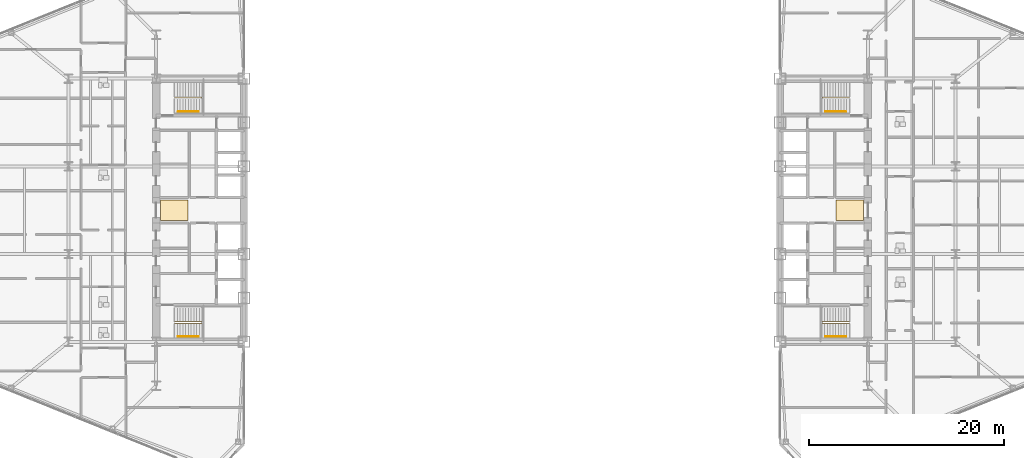
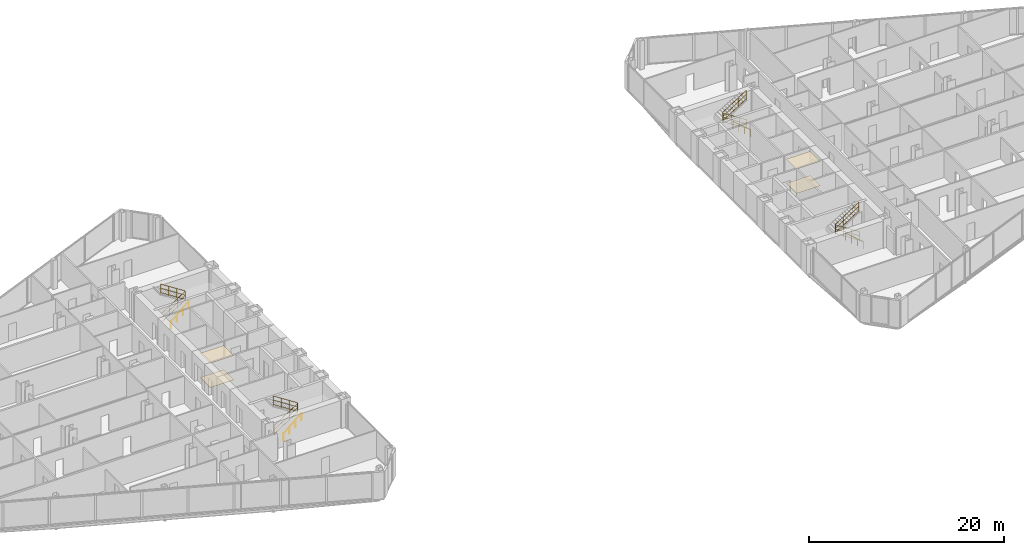
# One storey, part 24 of 25: 8 railings, 4 coverings.
"""IFC4 building model written with IfcOpenShell, lengths in metres."""

from ifc_helpers import new_model, si_unit, direction, frame, origin, origin_2d, place, context, subcontext, project, spatial, polyline, circle, outline, extrude, material, layer, layer_set, type_object, element, save


model = new_model("IFC4")

# Units and contexts
model_context = context("Model", 3, precision=1e-05, world=origin(), true_north=direction((0.0, 1.0)))
body_context = subcontext(model_context, "Body", "Model", "MODEL_VIEW")
ifc_project = project(units=[si_unit("LENGTHUNIT", "METRE"), si_unit("AREAUNIT", "SQUARE_METRE"), si_unit("VOLUMEUNIT", "CUBIC_METRE"), si_unit("PLANEANGLEUNIT", "RADIAN"), si_unit("MASSUNIT", "GRAM", prefix="KILO")], contexts=[model_context])

# Site, building, storey
site_placement = place(None, origin())
site = spatial("IfcSite", under=ifc_project, at=site_placement, CompositionType="ELEMENT")
building_placement = place(site_placement, origin())
building = spatial("IfcBuilding", under=site, at=building_placement, Name="Seokmaru Belvedere", CompositionType="ELEMENT")
storey_placement = place(building_placement, frame((0.0, 0.0, 26.10009765625)))
storey = spatial("IfcBuildingStorey", under=building, at=storey_placement, Name="L06", CompositionType="ELEMENT", Elevation=26.10009765625)

# Coverings
ifc_material_1 = material(Name="Engineered White Oak Timber", Category="wood")
ifc_layer_1 = layer(ifc_material_1, 0.02197265625)
ifc_layer_set_1 = layer_set([ifc_layer_1], Name="Engineered White Oak Timber")
covering_type_1 = type_object("IfcCoveringType", Name="Engineered Oak Residence Floor Finish 22", PredefinedType="FLOORING", material=ifc_layer_set_1)
covering_1_placement = place(storey_placement, origin())
element("IfcCovering", 1, at=covering_1_placement, inside=storey, type_object=covering_type_1, Name="L06 W Foyer Floor Finish", PredefinedType="FLOORING", context=body_context, shape_type="SweptSolid", body=[
    extrude(outline(polyline([(-36.050048828125, -1.050048828125), (-33.25, -1.050048828125), (-33.25, 1.050048828125), (-36.050048828125, 1.050048828125), (-36.050048828125, -1.050048828125)])), origin(), (0.0, 0.0, 1.0), 0.02197265625),
])
covering_2_placement = place(storey_placement, origin())
element("IfcCovering", 2, at=covering_2_placement, inside=storey, type_object=covering_type_1, Name="L06 E Foyer Floor Finish", PredefinedType="FLOORING", context=body_context, shape_type="SweptSolid", body=[
    extrude(outline(polyline([(33.25, -1.050048828125), (36.050048828125, -1.050048828125), (36.050048828125, 1.050048828125), (33.25, 1.050048828125), (33.25, -1.050048828125)])), origin(), (0.0, 0.0, 1.0), 0.02197265625),
])
ifc_material_2 = material(Name="Fire-Rated Gypsum Shaftwall")
ifc_layer_2 = layer(ifc_material_2, 0.02490234375)
ifc_layer_set_2 = layer_set([ifc_layer_2], Name="Fire-Rated Gypsum Shaftwall")
covering_type_2 = type_object("IfcCoveringType", Name="Perforated Acoustic Gypsum Suspended Ceiling 25", PredefinedType="CEILING", material=ifc_layer_set_2)
covering_3_placement = place(storey_placement, frame((0.0, 0.0, 3.02978515625)))
element("IfcCovering", 3, at=covering_3_placement, inside=storey, type_object=covering_type_2, Name="L06 W Lift Foyer Acoustic Ceiling", PredefinedType="CEILING", context=body_context, shape_type="SweptSolid", body=[
    extrude(outline(polyline([(-36.050048828125, -1.050048828125), (-33.25, -1.050048828125), (-33.25, 1.050048828125), (-36.050048828125, 1.050048828125), (-36.050048828125, -1.050048828125)])), origin(), (0.0, 0.0, 1.0), 0.025146484375),
])
covering_4_placement = place(storey_placement, frame((0.0, 0.0, 3.02978515625)))
element("IfcCovering", 4, at=covering_4_placement, inside=storey, type_object=covering_type_2, Name="L06 E Lift Foyer Acoustic Ceiling", PredefinedType="CEILING", context=body_context, shape_type="SweptSolid", body=[
    extrude(outline(polyline([(33.25, -1.050048828125), (36.050048828125, -1.050048828125), (36.050048828125, 1.050048828125), (33.25, 1.050048828125), (33.25, -1.050048828125)])), origin(), (0.0, 0.0, 1.0), 0.025146484375),
])

# Railings
ifc_material_3 = material(Name="Stainless Steel 316", Category="steel")
railing_type_1 = type_object("IfcRailingType", Name="Stainless Steel Wall and Flight Handrail 900", PredefinedType="HANDRAIL", material=ifc_material_3)
for number, where, name in (
    (5, (-34.25, -12.949951171875, 0.0), "L06 Stair ST-W1 Wall Handrail"),
    (6, (-34.25, 10.110107421875, 0.0), "L06 Stair ST-W2 Wall Handrail"),
):
    element("IfcRailing", number, at=place(storey_placement, frame(where)), inside=storey, type_object=railing_type_1, Name=name, PredefinedType="HANDRAIL", context=body_context, shape_type="SweptSolid", body=[
        extrude(circle(Radius=0.02392578125, at=origin_2d()), frame((0.0, 0.0, 0.8759765625), z_axis=(0.759306447245, 0.0, 0.650733216588), x_axis=(0.0, 1.0, 0.0)), (0.0, 0.0, 1.0), 2.765869140625),
        extrude(circle(Radius=0.02099609375, at=origin_2d()), origin(), (0.0, 0.0, 1.0), 0.851806640625),
        extrude(circle(Radius=0.02099609375, at=origin_2d()), frame((0.699951171875, 0.0, 0.599853515625)), (0.0, 0.0, 1.0), 0.851806640625),
        extrude(circle(Radius=0.02099609375, at=origin_2d()), frame((1.400146484375, 0.0, 1.199951171875)), (0.0, 0.0, 1.0), 0.851806640625),
        extrude(circle(Radius=0.02099609375, at=origin_2d()), frame((2.10009765625, 0.0, 1.7998046875)), (0.0, 0.0, 1.0), 0.851806640625),
    ])
for number, where, name in (
    (7, (34.25, -12.949951171875, 0.0), "L06 Stair ST-E1 Wall Handrail"),
    (8, (34.25, 10.110107421875, 0.0), "L06 Stair ST-E2 Wall Handrail"),
):
    element("IfcRailing", number, at=place(storey_placement, frame(where)), inside=storey, type_object=railing_type_1, Name=name, PredefinedType="HANDRAIL", context=body_context, shape_type="SweptSolid", body=[
        extrude(circle(Radius=0.02392578125, at=origin_2d()), frame((0.0, 0.0, 0.8759765625), z_axis=(-0.759306447245, 0.0, 0.650733216588), x_axis=(0.0, -1.0, 0.0)), (0.0, 0.0, 1.0), 2.765869140625),
        extrude(circle(Radius=0.02099609375, at=origin_2d()), origin(), (0.0, 0.0, 1.0), 0.851806640625),
        extrude(circle(Radius=0.02099609375, at=origin_2d()), frame((-0.699951171875, 0.0, 0.599853515625)), (0.0, 0.0, 1.0), 0.851806640625),
        extrude(circle(Radius=0.02099609375, at=origin_2d()), frame((-1.400146484375, 0.0, 1.199951171875)), (0.0, 0.0, 1.0), 0.851806640625),
        extrude(circle(Radius=0.02099609375, at=origin_2d()), frame((-2.10009765625, 0.0, 1.7998046875)), (0.0, 0.0, 1.0), 0.851806640625),
    ])
railing_type_2 = type_object("IfcRailingType", Name="Stair Well and Atrium Steel Guardrail 1200", PredefinedType="GUARDRAIL", material=ifc_material_3)
railing_1_placement = place(storey_placement, frame((-34.60009765625, -11.60009765625, 0.0)))
element("IfcRailing", 9, at=railing_1_placement, inside=storey, type_object=railing_type_2, Name="L06 Stair ST-W1 Inner Well Guardrail", PredefinedType="GUARDRAIL", context=body_context, shape_type="SweptSolid", body=[
    extrude(circle(Radius=0.02392578125, at=origin_2d()), frame((0.0, 0.0, 1.17578125), z_axis=(0.841209454229, 0.0, 0.540709398952), x_axis=(0.0, 1.0, 0.0)), (0.0, 0.0, 1.0), 3.32861328125),
    extrude(circle(Radius=0.02392578125, at=origin_2d()), frame((0.0, 0.0, 0.1201171875), z_axis=(0.841209454229, 0.0, 0.540709398952), x_axis=(0.0, 1.0, 0.0)), (0.0, 0.0, 1.0), 3.32861328125),
    extrude(circle(Radius=0.02392578125, at=origin_2d()), frame((0.0, 0.0, 0.659912109375), z_axis=(0.841209454229, 0.0, 0.540709398952), x_axis=(0.0, 1.0, 0.0)), (0.0, 0.0, 1.0), 3.32861328125),
    extrude(circle(Radius=0.02392578125, at=origin_2d()), frame((2.800048828125, 0.0, 2.9755859375), z_axis=(0.0, 1.0, 0.0), x_axis=(-1.0, 0.0, 0.0)), (0.0, 0.0, 1.0), 0.14013671875),
    extrude(circle(Radius=0.02392578125, at=origin_2d()), frame((2.800048828125, 0.0, 1.919921875), z_axis=(0.0, 1.0, 0.0), x_axis=(-1.0, 0.0, 0.0)), (0.0, 0.0, 1.0), 0.14013671875),
    extrude(circle(Radius=0.02392578125, at=origin_2d()), frame((2.800048828125, 0.0, 2.459716796875), z_axis=(0.0, 1.0, 0.0), x_axis=(-1.0, 0.0, 0.0)), (0.0, 0.0, 1.0), 0.14013671875),
    extrude(circle(Radius=0.02392578125, at=origin_2d()), frame((2.800048828125, 0.14013671875, 2.9755859375), z_axis=(-0.841176092368, 0.0, 0.540761298198), x_axis=(0.0, -1.0, 0.0)), (0.0, 0.0, 1.0), 3.32861328125),
    extrude(circle(Radius=0.02392578125, at=origin_2d()), frame((2.800048828125, 0.14013671875, 1.919921875), z_axis=(-0.841176092368, 0.0, 0.540761298198), x_axis=(0.0, -1.0, 0.0)), (0.0, 0.0, 1.0), 3.32861328125),
    extrude(circle(Radius=0.02392578125, at=origin_2d()), frame((2.800048828125, 0.14013671875, 2.459716796875), z_axis=(-0.841176092368, 0.0, 0.540761298198), x_axis=(0.0, -1.0, 0.0)), (0.0, 0.0, 1.0), 3.32861328125),
    extrude(circle(Radius=0.02099609375, at=origin_2d()), origin(), (0.0, 0.0, 1.0), 1.15185546875),
    extrude(circle(Radius=0.02099609375, at=origin_2d()), frame((0.933349609375, 0.0, 0.599853515625)), (0.0, 0.0, 1.0), 1.15185546875),
    extrude(circle(Radius=0.02099609375, at=origin_2d()), frame((1.86669921875, 0.0, 1.199951171875)), (0.0, 0.0, 1.0), 1.15185546875),
    extrude(circle(Radius=0.02099609375, at=origin_2d()), frame((2.800048828125, 0.0, 1.7998046875)), (0.0, 0.0, 1.0), 1.15185546875),
    extrude(circle(Radius=0.02099609375, at=origin_2d()), frame((2.800048828125, 0.14013671875, 1.7998046875)), (0.0, 0.0, 1.0), 1.15185546875),
    extrude(circle(Radius=0.02099609375, at=origin_2d()), frame((1.86669921875, 0.14013671875, 2.39990234375)), (0.0, 0.0, 1.0), 1.15185546875),
    extrude(circle(Radius=0.02099609375, at=origin_2d()), frame((0.933349609375, 0.14013671875, 2.999755859375)), (0.0, 0.0, 1.0), 1.15185546875),
    extrude(circle(Radius=0.02099609375, at=origin_2d()), frame((0.0, 0.14013671875, 3.599853515625)), (0.0, 0.0, 1.0), 1.15185546875),
])
railing_2_placement = place(storey_placement, frame((-34.60009765625, 11.4599609375, 0.0)))
element("IfcRailing", 10, at=railing_2_placement, inside=storey, type_object=railing_type_2, Name="L06 Stair ST-W2 Inner Well Guardrail", PredefinedType="GUARDRAIL", context=body_context, shape_type="SweptSolid", body=[
    extrude(circle(Radius=0.02392578125, at=origin_2d()), frame((0.0, 0.0, 1.17578125), z_axis=(0.841209454229, 0.0, 0.540709398952), x_axis=(0.0, 1.0, 0.0)), (0.0, 0.0, 1.0), 3.32861328125),
    extrude(circle(Radius=0.02392578125, at=origin_2d()), frame((0.0, 0.0, 0.1201171875), z_axis=(0.841209454229, 0.0, 0.540709398952), x_axis=(0.0, 1.0, 0.0)), (0.0, 0.0, 1.0), 3.32861328125),
    extrude(circle(Radius=0.02392578125, at=origin_2d()), frame((0.0, 0.0, 0.659912109375), z_axis=(0.841209454229, 0.0, 0.540709398952), x_axis=(0.0, 1.0, 0.0)), (0.0, 0.0, 1.0), 3.32861328125),
    extrude(circle(Radius=0.02392578125, at=origin_2d()), frame((2.800048828125, 0.0, 2.9755859375), z_axis=(0.0, 1.0, 0.0), x_axis=(-1.0, 0.0, 0.0)), (0.0, 0.0, 1.0), 0.14013671875),
    extrude(circle(Radius=0.02392578125, at=origin_2d()), frame((2.800048828125, 0.0, 1.919921875), z_axis=(0.0, 1.0, 0.0), x_axis=(-1.0, 0.0, 0.0)), (0.0, 0.0, 1.0), 0.14013671875),
    extrude(circle(Radius=0.02392578125, at=origin_2d()), frame((2.800048828125, 0.0, 2.459716796875), z_axis=(0.0, 1.0, 0.0), x_axis=(-1.0, 0.0, 0.0)), (0.0, 0.0, 1.0), 0.14013671875),
    extrude(circle(Radius=0.02392578125, at=origin_2d()), frame((2.800048828125, 0.14013671875, 2.9755859375), z_axis=(-0.841176092368, 0.0, 0.540761298198), x_axis=(0.0, -1.0, 0.0)), (0.0, 0.0, 1.0), 3.32861328125),
    extrude(circle(Radius=0.02392578125, at=origin_2d()), frame((2.800048828125, 0.14013671875, 1.919921875), z_axis=(-0.841176092368, 0.0, 0.540761298198), x_axis=(0.0, -1.0, 0.0)), (0.0, 0.0, 1.0), 3.32861328125),
    extrude(circle(Radius=0.02392578125, at=origin_2d()), frame((2.800048828125, 0.14013671875, 2.459716796875), z_axis=(-0.841176092368, 0.0, 0.540761298198), x_axis=(0.0, -1.0, 0.0)), (0.0, 0.0, 1.0), 3.32861328125),
    extrude(circle(Radius=0.02099609375, at=origin_2d()), origin(), (0.0, 0.0, 1.0), 1.15185546875),
    extrude(circle(Radius=0.02099609375, at=origin_2d()), frame((0.933349609375, 0.0, 0.599853515625)), (0.0, 0.0, 1.0), 1.15185546875),
    extrude(circle(Radius=0.02099609375, at=origin_2d()), frame((1.86669921875, 0.0, 1.199951171875)), (0.0, 0.0, 1.0), 1.15185546875),
    extrude(circle(Radius=0.02099609375, at=origin_2d()), frame((2.800048828125, 0.0, 1.7998046875)), (0.0, 0.0, 1.0), 1.15185546875),
    extrude(circle(Radius=0.02099609375, at=origin_2d()), frame((2.800048828125, 0.14013671875, 1.7998046875)), (0.0, 0.0, 1.0), 1.15185546875),
    extrude(circle(Radius=0.02099609375, at=origin_2d()), frame((1.86669921875, 0.14013671875, 2.39990234375)), (0.0, 0.0, 1.0), 1.15185546875),
    extrude(circle(Radius=0.02099609375, at=origin_2d()), frame((0.933349609375, 0.14013671875, 2.999755859375)), (0.0, 0.0, 1.0), 1.15185546875),
    extrude(circle(Radius=0.02099609375, at=origin_2d()), frame((0.0, 0.14013671875, 3.599853515625)), (0.0, 0.0, 1.0), 1.15185546875),
])
railing_3_placement = place(storey_placement, frame((34.60009765625, -11.60009765625, 0.0)))
element("IfcRailing", 11, at=railing_3_placement, inside=storey, type_object=railing_type_2, Name="L06 Stair ST-E1 Inner Well Guardrail", PredefinedType="GUARDRAIL", context=body_context, shape_type="SweptSolid", body=[
    extrude(circle(Radius=0.02392578125, at=origin_2d()), frame((0.0, 0.0, 1.17578125), z_axis=(-0.841209454229, 0.0, 0.540709398952), x_axis=(0.0, -1.0, 0.0)), (0.0, 0.0, 1.0), 3.32861328125),
    extrude(circle(Radius=0.02392578125, at=origin_2d()), frame((0.0, 0.0, 0.1201171875), z_axis=(-0.841209454229, 0.0, 0.540709398952), x_axis=(0.0, -1.0, 0.0)), (0.0, 0.0, 1.0), 3.32861328125),
    extrude(circle(Radius=0.02392578125, at=origin_2d()), frame((0.0, 0.0, 0.659912109375), z_axis=(-0.841209454229, 0.0, 0.540709398952), x_axis=(0.0, -1.0, 0.0)), (0.0, 0.0, 1.0), 3.32861328125),
    extrude(circle(Radius=0.02392578125, at=origin_2d()), frame((-2.800048828125, 0.0, 2.9755859375), z_axis=(0.0, 1.0, 0.0), x_axis=(-1.0, 0.0, 0.0)), (0.0, 0.0, 1.0), 0.14013671875),
    extrude(circle(Radius=0.02392578125, at=origin_2d()), frame((-2.800048828125, 0.0, 1.919921875), z_axis=(0.0, 1.0, 0.0), x_axis=(-1.0, 0.0, 0.0)), (0.0, 0.0, 1.0), 0.14013671875),
    extrude(circle(Radius=0.02392578125, at=origin_2d()), frame((-2.800048828125, 0.0, 2.459716796875), z_axis=(0.0, 1.0, 0.0), x_axis=(-1.0, 0.0, 0.0)), (0.0, 0.0, 1.0), 0.14013671875),
    extrude(circle(Radius=0.02392578125, at=origin_2d()), frame((-2.800048828125, 0.14013671875, 2.9755859375), z_axis=(0.841176092368, 0.0, 0.540761298198), x_axis=(0.0, 1.0, 0.0)), (0.0, 0.0, 1.0), 3.32861328125),
    extrude(circle(Radius=0.02392578125, at=origin_2d()), frame((-2.800048828125, 0.14013671875, 1.919921875), z_axis=(0.841176092368, 0.0, 0.540761298198), x_axis=(0.0, 1.0, 0.0)), (0.0, 0.0, 1.0), 3.32861328125),
    extrude(circle(Radius=0.02392578125, at=origin_2d()), frame((-2.800048828125, 0.14013671875, 2.459716796875), z_axis=(0.841176092368, 0.0, 0.540761298198), x_axis=(0.0, 1.0, 0.0)), (0.0, 0.0, 1.0), 3.32861328125),
    extrude(circle(Radius=0.02099609375, at=origin_2d()), origin(), (0.0, 0.0, 1.0), 1.15185546875),
    extrude(circle(Radius=0.02099609375, at=origin_2d()), frame((-0.933349609375, 0.0, 0.599853515625)), (0.0, 0.0, 1.0), 1.15185546875),
    extrude(circle(Radius=0.02099609375, at=origin_2d()), frame((-1.86669921875, 0.0, 1.199951171875)), (0.0, 0.0, 1.0), 1.15185546875),
    extrude(circle(Radius=0.02099609375, at=origin_2d()), frame((-2.800048828125, 0.0, 1.7998046875)), (0.0, 0.0, 1.0), 1.15185546875),
    extrude(circle(Radius=0.02099609375, at=origin_2d()), frame((-2.800048828125, 0.14013671875, 1.7998046875)), (0.0, 0.0, 1.0), 1.15185546875),
    extrude(circle(Radius=0.02099609375, at=origin_2d()), frame((-1.86669921875, 0.14013671875, 2.39990234375)), (0.0, 0.0, 1.0), 1.15185546875),
    extrude(circle(Radius=0.02099609375, at=origin_2d()), frame((-0.933349609375, 0.14013671875, 2.999755859375)), (0.0, 0.0, 1.0), 1.15185546875),
    extrude(circle(Radius=0.02099609375, at=origin_2d()), frame((0.0, 0.14013671875, 3.599853515625)), (0.0, 0.0, 1.0), 1.15185546875),
])
railing_4_placement = place(storey_placement, frame((34.60009765625, 11.4599609375, 0.0)))
element("IfcRailing", 12, at=railing_4_placement, inside=storey, type_object=railing_type_2, Name="L06 Stair ST-E2 Inner Well Guardrail", PredefinedType="GUARDRAIL", context=body_context, shape_type="SweptSolid", body=[
    extrude(circle(Radius=0.02392578125, at=origin_2d()), frame((0.0, 0.0, 1.17578125), z_axis=(-0.841209454229, 0.0, 0.540709398952), x_axis=(0.0, -1.0, 0.0)), (0.0, 0.0, 1.0), 3.32861328125),
    extrude(circle(Radius=0.02392578125, at=origin_2d()), frame((0.0, 0.0, 0.1201171875), z_axis=(-0.841209454229, 0.0, 0.540709398952), x_axis=(0.0, -1.0, 0.0)), (0.0, 0.0, 1.0), 3.32861328125),
    extrude(circle(Radius=0.02392578125, at=origin_2d()), frame((0.0, 0.0, 0.659912109375), z_axis=(-0.841209454229, 0.0, 0.540709398952), x_axis=(0.0, -1.0, 0.0)), (0.0, 0.0, 1.0), 3.32861328125),
    extrude(circle(Radius=0.02392578125, at=origin_2d()), frame((-2.800048828125, 0.0, 2.9755859375), z_axis=(0.0, 1.0, 0.0), x_axis=(-1.0, 0.0, 0.0)), (0.0, 0.0, 1.0), 0.14013671875),
    extrude(circle(Radius=0.02392578125, at=origin_2d()), frame((-2.800048828125, 0.0, 1.919921875), z_axis=(0.0, 1.0, 0.0), x_axis=(-1.0, 0.0, 0.0)), (0.0, 0.0, 1.0), 0.14013671875),
    extrude(circle(Radius=0.02392578125, at=origin_2d()), frame((-2.800048828125, 0.0, 2.459716796875), z_axis=(0.0, 1.0, 0.0), x_axis=(-1.0, 0.0, 0.0)), (0.0, 0.0, 1.0), 0.14013671875),
    extrude(circle(Radius=0.02392578125, at=origin_2d()), frame((-2.800048828125, 0.14013671875, 2.9755859375), z_axis=(0.841176092368, 0.0, 0.540761298198), x_axis=(0.0, 1.0, 0.0)), (0.0, 0.0, 1.0), 3.32861328125),
    extrude(circle(Radius=0.02392578125, at=origin_2d()), frame((-2.800048828125, 0.14013671875, 1.919921875), z_axis=(0.841176092368, 0.0, 0.540761298198), x_axis=(0.0, 1.0, 0.0)), (0.0, 0.0, 1.0), 3.32861328125),
    extrude(circle(Radius=0.02392578125, at=origin_2d()), frame((-2.800048828125, 0.14013671875, 2.459716796875), z_axis=(0.841176092368, 0.0, 0.540761298198), x_axis=(0.0, 1.0, 0.0)), (0.0, 0.0, 1.0), 3.32861328125),
    extrude(circle(Radius=0.02099609375, at=origin_2d()), origin(), (0.0, 0.0, 1.0), 1.15185546875),
    extrude(circle(Radius=0.02099609375, at=origin_2d()), frame((-0.933349609375, 0.0, 0.599853515625)), (0.0, 0.0, 1.0), 1.15185546875),
    extrude(circle(Radius=0.02099609375, at=origin_2d()), frame((-1.86669921875, 0.0, 1.199951171875)), (0.0, 0.0, 1.0), 1.15185546875),
    extrude(circle(Radius=0.02099609375, at=origin_2d()), frame((-2.800048828125, 0.0, 1.7998046875)), (0.0, 0.0, 1.0), 1.15185546875),
    extrude(circle(Radius=0.02099609375, at=origin_2d()), frame((-2.800048828125, 0.14013671875, 1.7998046875)), (0.0, 0.0, 1.0), 1.15185546875),
    extrude(circle(Radius=0.02099609375, at=origin_2d()), frame((-1.86669921875, 0.14013671875, 2.39990234375)), (0.0, 0.0, 1.0), 1.15185546875),
    extrude(circle(Radius=0.02099609375, at=origin_2d()), frame((-0.933349609375, 0.14013671875, 2.999755859375)), (0.0, 0.0, 1.0), 1.15185546875),
    extrude(circle(Radius=0.02099609375, at=origin_2d()), frame((0.0, 0.14013671875, 3.599853515625)), (0.0, 0.0, 1.0), 1.15185546875),
])

save(model, "model.ifc")
